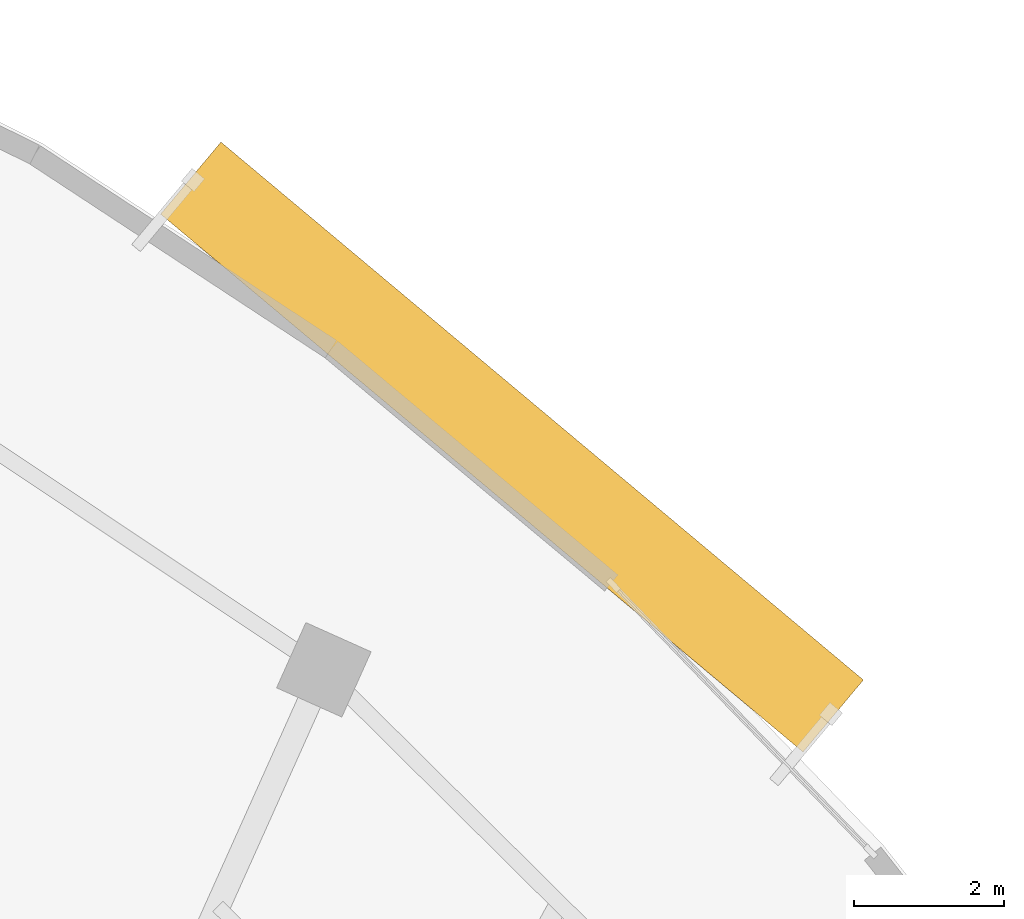
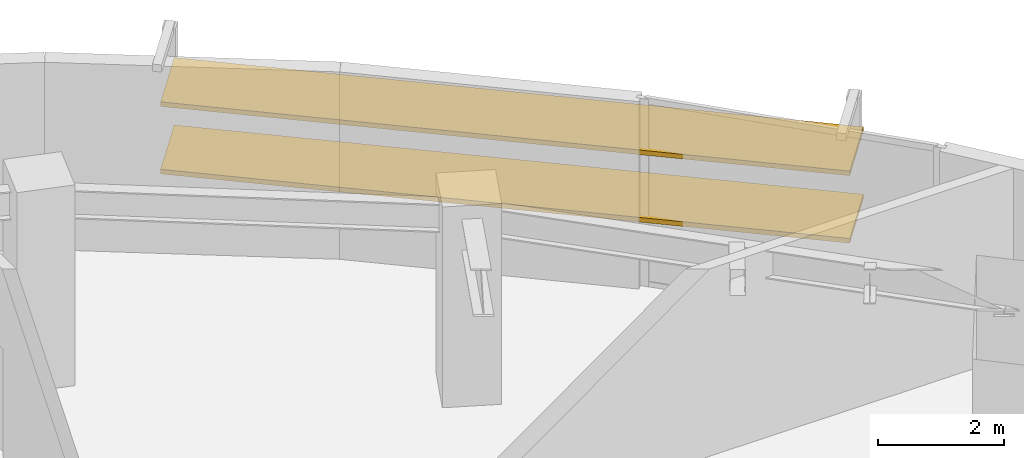
# One storey, part 14 of 14: 2 shading devices.
"""IFC4 building model written with IfcOpenShell, lengths in metres."""

from ifc_helpers import new_model, si_unit, direction, frame, origin, origin_2d, place, context, subcontext, project, spatial, rectangle, extrude, source, transform, mapped, material, material_profile, profile_set, type_object, element, save


model = new_model("IFC4")

# Units and contexts
model_context = context("Model", 3, precision=1e-05, world=origin(), true_north=direction((0.0, 1.0)))
body_context = subcontext(model_context, "Body", "Model", "MODEL_VIEW")
ifc_project = project(units=[si_unit("LENGTHUNIT", "METRE"), si_unit("AREAUNIT", "SQUARE_METRE"), si_unit("VOLUMEUNIT", "CUBIC_METRE"), si_unit("PLANEANGLEUNIT", "RADIAN"), si_unit("MASSUNIT", "GRAM", prefix="KILO")], contexts=[model_context])

# Site, building, storey
site_placement = place(None, origin())
site = spatial("IfcSite", under=ifc_project, at=site_placement, CompositionType="ELEMENT")
building_placement = place(site_placement, origin())
building = spatial("IfcBuilding", under=site, at=building_placement, Name="Breltana Convention Tower", CompositionType="ELEMENT")
storey_placement = place(building_placement, frame((0.0, 0.0, 215.699951171875)))
storey = spatial("IfcBuildingStorey", under=building, at=storey_placement, Name="L52", CompositionType="ELEMENT", Elevation=215.699951171875)

# Shading devices
ifc_material = material(Name="Limestone Warm Buff Honed", Category="masonry")
ifc_material_profile = material_profile(ifc_material, rectangle(XDim=1.25, YDim=0.090087890625, at=origin_2d()), Name="STN-LVR-1250X90")
ifc_profile_set = profile_set([ifc_material_profile], Name="Limestone Warm Buff Honed")
shading_device_type = type_object("IfcShadingDeviceType", Name="SHD-OUTER-SKIN-LIMESTONE-1250", PredefinedType="JALOUSIE", material=ifc_profile_set)
shared_shape = source(origin(), body_context, "Body", "SweptSolid", [
    extrude(rectangle(XDim=1.25, YDim=0.090087890625, at=origin_2d()), origin(), (0.0, 0.0, 1.0), 11.138671875),
])
for number, where, z_axis, x_axis, name in (
    (1, (67.141357421875, 75.169921875, 1.310546875), (0.76671903432, -0.641982805386, 0.0), (0.641982805386, 0.76671903432, 0.0), "L52 outer skin warm limestone louvre 2.1"),
    (2, (67.141357421875, 75.169921875, 2.620849609375), (0.76671903432, -0.641982805386, 0.0), (0.641982805386, 0.76671903432, 0.0), "L52 outer skin warm limestone louvre 2.2"),
):
    element("IfcShadingDevice", number, at=place(storey_placement, frame(where, z_axis=z_axis, x_axis=x_axis)), inside=storey, type_object=shading_device_type, Name=name, PredefinedType="JALOUSIE", context=body_context, shape_type="MappedRepresentation", body=[
        mapped(shared_shape, transform((0.0, 0.0, 0.0), scale=1.0)),
    ])

save(model, "model.ifc")
